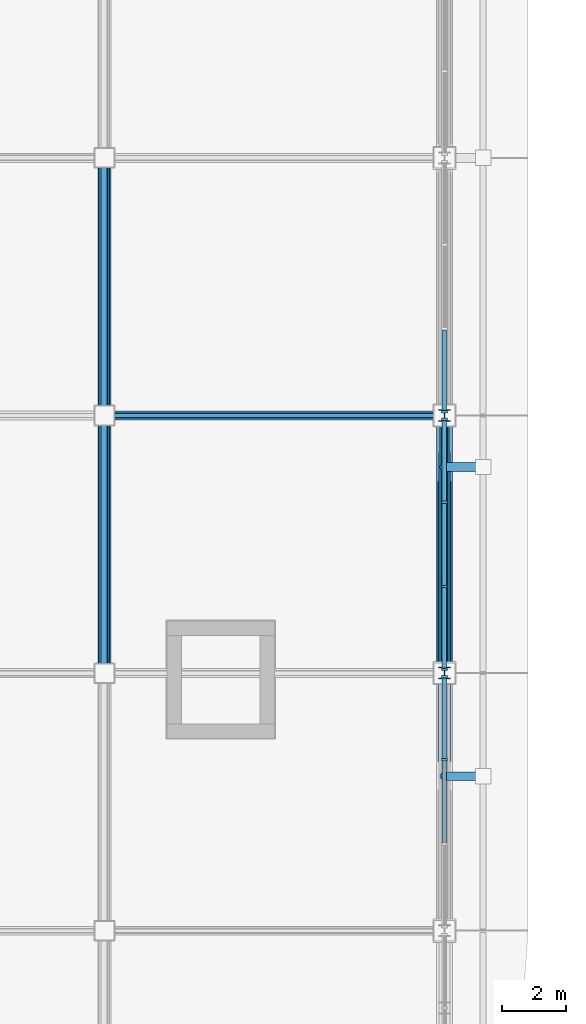
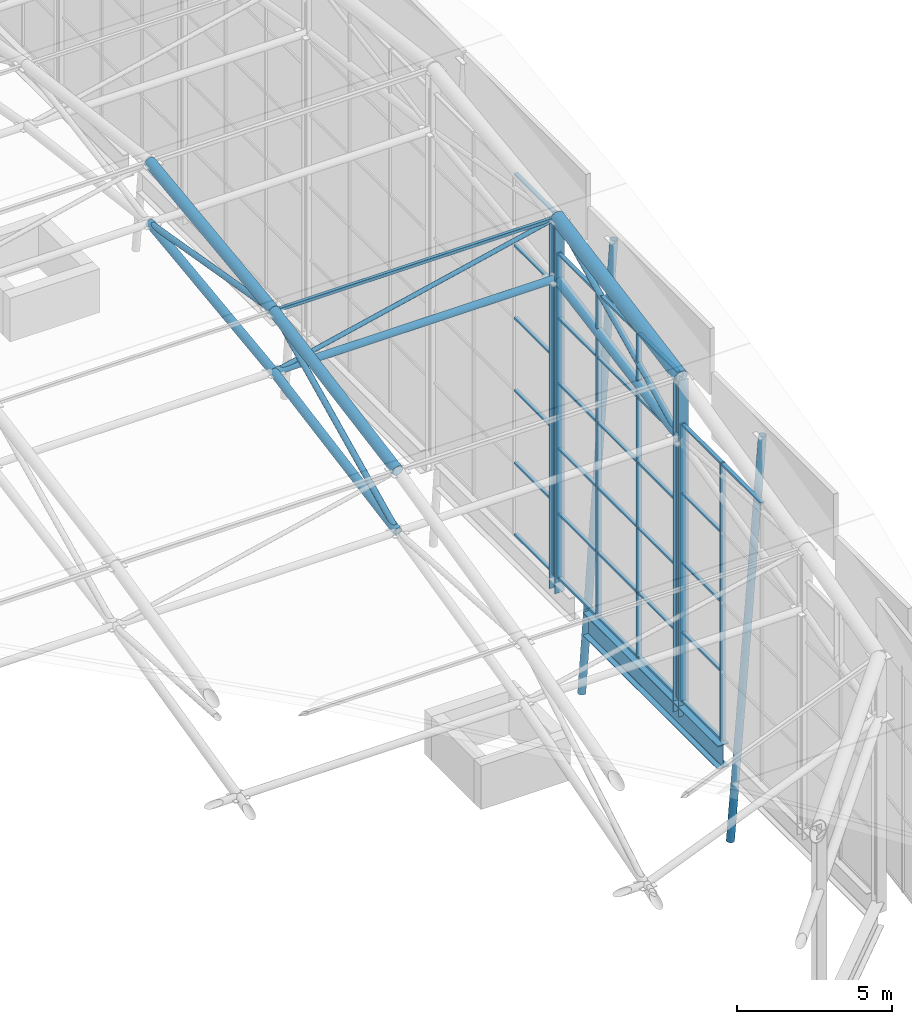
# One storey, part 14 of 42: 53 members, 1 beam, 3 elements without a shape of their own.
"""IFC4 building model written with IfcOpenShell, lengths in metres."""

import ifcopenshell
import ifcopenshell.guid

model = None  # the IFC model being written
_history = None  # IfcOwnerHistory: only IFC2X3 demands one
_inside = {}  # id of a spatial element -> (the spatial element, [elements in it])
_under = {}  # id of a project, library or spatial element -> (it, [spatial elements below it])
_declared = {}  # id of a project -> (the project, [libraries it declares])
_typed = {}  # id of a type object -> (the type object, [elements of that type])
_made_of = {}  # id of a material, layer set ... -> (it, [elements and type objects made of it])


def new_model(schema):
    """Start an empty IFC model of exactly this schema.

    Asked for "IFC4X3", IfcOpenShell would pick the latest addendum, in which some entities
    have other attributes; the version numbers below select the first issue.
    IFC2X3 requires an IfcOwnerHistory on every rooted entity: one is made here for all.
    """
    global model, _history
    if schema == "IFC4X3":
        model = ifcopenshell.file(schema_version=(4, 3, 0, 0))
    else:
        model = ifcopenshell.file(schema=schema)
    _inside.clear()
    _under.clear()
    _declared.clear()
    _typed.clear()
    _made_of.clear()
    _history = None
    if model.schema == "IFC2X3":
        org = make("IfcOrganization", Name="unknown")
        user = make(
            "IfcPersonAndOrganization",
            ThePerson=make("IfcPerson", FamilyName="unknown"),
            TheOrganization=org,
        )
        app = make(
            "IfcApplication",
            ApplicationDeveloper=org,
            Version="unknown",
            ApplicationFullName="unknown",
            ApplicationIdentifier="unknown",
        )
        _history = make(
            "IfcOwnerHistory",
            OwningUser=user,
            OwningApplication=app,
            ChangeAction="ADDED",
            CreationDate=0,
        )
    return model


def make(cls, **values):
    """One entity of the class cls with the attributes given. An attribute that is None is left unset."""
    return model.create_entity(
        cls, **{name: value for name, value in values.items() if value is not None}
    )


def rooted(cls, **values):
    """An entity with a GlobalId (a new one), such as an element, a storey or a relation."""
    return make(cls, GlobalId=ifcopenshell.guid.new(), OwnerHistory=_history, **values)


def si_unit(unit_type, name, prefix=None):
    """IfcSIUnit, for example si_unit("LENGTHUNIT", "METRE", prefix="MILLI")."""
    return make("IfcSIUnit", UnitType=unit_type, Prefix=prefix, Name=name)


def assignment(units):
    """IfcUnitAssignment: the units of a project."""
    return None if units is None else make("IfcUnitAssignment", Units=units)


def point(xyz):
    """IfcCartesianPoint."""
    return None if xyz is None else make("IfcCartesianPoint", Coordinates=xyz)


def direction(xyz):
    """IfcDirection."""
    return None if xyz is None else make("IfcDirection", DirectionRatios=xyz)


def frame(location, z_axis=None, x_axis=None):
    """IfcAxis2Placement3D, a coordinate frame: its origin and axes. An axis left out is left unset."""
    return make(
        "IfcAxis2Placement3D",
        Location=point(location),
        Axis=direction(z_axis),
        RefDirection=direction(x_axis),
    )


def frame_2d(location, x_axis=None):
    """IfcAxis2Placement2D, a coordinate frame in the plane: its origin and x axis."""
    return make(
        "IfcAxis2Placement2D", Location=point(location), RefDirection=direction(x_axis)
    )


def origin():
    """The frame at (0, 0, 0) with its axes left unset."""
    return frame((0.0, 0.0, 0.0))


def origin_2d():
    """The frame at (0, 0) in the plane with its x axis left unset."""
    return frame_2d((0.0, 0.0))


def place(relative_to, where):
    """IfcLocalPlacement: puts the frame where relative to a parent placement (None: the world)."""
    return make(
        "IfcLocalPlacement", PlacementRelTo=relative_to, RelativePlacement=where
    )


def context(
    kind, dimensions, precision=None, world=None, true_north=None, identifier=None
):
    """IfcGeometricRepresentationContext, for example the 3D "Model" context."""
    return make(
        "IfcGeometricRepresentationContext",
        ContextIdentifier=identifier,
        ContextType=kind,
        CoordinateSpaceDimension=dimensions,
        Precision=precision,
        WorldCoordinateSystem=world,
        TrueNorth=true_north,
    )


def subcontext(parent, identifier, kind, view, scale=None):
    """IfcGeometricRepresentationSubContext, for example "Body" below "Model"."""
    return make(
        "IfcGeometricRepresentationSubContext",
        ContextIdentifier=identifier,
        ContextType=kind,
        ParentContext=parent,
        TargetScale=scale,
        TargetView=view,
    )


def project(units=None, contexts=None):
    """IfcProject with its units and contexts."""
    return rooted(
        "IfcProject",
        Name="project",
        RepresentationContexts=contexts,
        UnitsInContext=assignment(units),
    )


def spatial(cls, under=None, at=None, **own):
    """A site, building, storey or space (cls), placed at a placement, below another one or the project."""
    s = rooted(cls, ObjectPlacement=at, **own)
    if under is not None:
        _under.setdefault(under.id(), (under, []))[1].append(s)
    return s


def profile(cls, at=None, kind="AREA", **sizes):
    """A parametric profile (cls). Its sizes go by their IFC names, for example OverallWidth=200.0."""
    return make(cls, ProfileType=kind, Position=at, **sizes)


def rectangle(**sizes):
    """IfcRectangleProfileDef."""
    return profile("IfcRectangleProfileDef", **sizes)


def hollow_rectangle(**sizes):
    """IfcRectangleHollowProfileDef."""
    return profile("IfcRectangleHollowProfileDef", **sizes)


def hollow_circle(**sizes):
    """IfcCircleHollowProfileDef."""
    return profile("IfcCircleHollowProfileDef", **sizes)


def i_section(**sizes):
    """IfcIShapeProfileDef."""
    return profile("IfcIShapeProfileDef", **sizes)


def extrude(swept, where, along, depth):
    """IfcExtrudedAreaSolid: the profile swept, set in the frame where, extruded along a direction by depth."""
    return make(
        "IfcExtrudedAreaSolid",
        SweptArea=swept,
        Position=where,
        ExtrudedDirection=direction(along),
        Depth=depth,
    )


def shape(context_of_items, identifier, shape_type, items):
    """IfcShapeRepresentation: the items that make up one representation, for example the "Body"."""
    return make(
        "IfcShapeRepresentation",
        ContextOfItems=context_of_items,
        RepresentationIdentifier=identifier,
        RepresentationType=shape_type,
        Items=items,
    )


def material(Name=None, Category=None):
    """IfcMaterial."""
    return make("IfcMaterial", Name=Name, Category=Category)


def layer(
    of_material, thickness, ventilated=None, Name=None, Category=None, Priority=None
):
    """IfcMaterialLayer: one layer of a wall or slab, of a material (None: an air gap)."""
    return make(
        "IfcMaterialLayer",
        Material=of_material,
        LayerThickness=thickness,
        IsVentilated=ventilated,
        Name=Name,
        Category=Category,
        Priority=Priority,
    )


def layer_set(layers, Name=None):
    """IfcMaterialLayerSet."""
    return make("IfcMaterialLayerSet", MaterialLayers=layers, LayerSetName=Name)


def material_profile(
    of_material, cross_section, Name=None, Category=None, Priority=None
):
    """IfcMaterialProfile: a cross section and its material."""
    return make(
        "IfcMaterialProfile",
        Name=Name,
        Material=of_material,
        Profile=cross_section,
        Priority=Priority,
        Category=Category,
    )


def profile_set(profiles, Name=None, composite=None):
    """IfcMaterialProfileSet."""
    return make(
        "IfcMaterialProfileSet",
        Name=Name,
        MaterialProfiles=profiles,
        CompositeProfile=composite,
    )


def made_of(thing, what):
    """Note that an element or type object is made of a material, layer set ...; save() writes the relation."""
    if what is not None:
        _made_of.setdefault(what.id(), (what, []))[1].append(thing)
    return thing


def type_object(cls, material=None, **own):
    """A type object (cls), such as IfcWallType, which elements share."""
    return made_of(rooted(cls, **own), material)


def element(
    cls,
    number,
    at=None,
    inside=None,
    cuts=None,
    type_object=None,
    material=None,
    context=None,
    identifier="Body",
    shape_type=None,
    held_by="IfcProductDefinitionShape",
    body=None,
    shapes=None,
    **own,
):
    """One element of the class cls, such as IfcWall. Its Tag is "e" and its number.

    at: its placement. inside: the storey or other place that contains it. cuts: it is an
    opening in that element (IfcRelVoidsElement). A single representation is given by context,
    identifier, shape_type and body (its items); several are given by shapes. held_by: the class
    of the entity that holds the representations. save() writes the other relations.
    """
    e = rooted(cls, Tag="e%d" % number, ObjectPlacement=at, **own)
    if body is not None:
        shapes = [shape(context, identifier, shape_type, body)]
    if shapes is not None:
        e.Representation = make(held_by, Representations=shapes)
    if inside is not None:
        _inside.setdefault(inside.id(), (inside, []))[1].append(e)
    if cuts is not None:
        rooted(
            "IfcRelVoidsElement", RelatingBuildingElement=cuts, RelatedOpeningElement=e
        )
    if type_object is not None:
        _typed.setdefault(type_object.id(), (type_object, []))[1].append(e)
    return made_of(e, material)


def aggregate(whole, parts):
    """IfcRelAggregates: a whole, such as a stair, and the parts it consists of."""
    return rooted("IfcRelAggregates", RelatingObject=whole, RelatedObjects=parts)


def save(model, path):
    """Write the relations noted so far, then the file.

    IfcRelAggregates (storeys below a building ...), IfcRelContainedInSpatialStructure (elements
    in a storey), IfcRelDefinesByType, IfcRelAssociatesMaterial and IfcRelDeclares: one each for
    every whole, place, type object, material and project.
    """
    for whole, parts in _under.values():
        aggregate(whole, parts)
    for where, things in _inside.values():
        rooted(
            "IfcRelContainedInSpatialStructure",
            RelatedElements=things,
            RelatingStructure=where,
        )
    for kind, things in _typed.values():
        rooted("IfcRelDefinesByType", RelatedObjects=things, RelatingType=kind)
    for what, things in _made_of.values():
        rooted("IfcRelAssociatesMaterial", RelatedObjects=things, RelatingMaterial=what)
    for by, libraries in _declared.values():
        rooted("IfcRelDeclares", RelatingContext=by, RelatedDefinitions=libraries)
    model.write(path)


model = new_model("IFC4")

# Units and contexts
model_context = context("Model", 3, precision=1e-05, world=origin(), true_north=direction((0.0, 1.0)))
body_context = subcontext(model_context, "Body", "Model", "MODEL_VIEW")
ifc_project = project(units=[si_unit("LENGTHUNIT", "METRE"), si_unit("AREAUNIT", "SQUARE_METRE"), si_unit("VOLUMEUNIT", "CUBIC_METRE"), si_unit("PLANEANGLEUNIT", "RADIAN"), si_unit("MASSUNIT", "GRAM", prefix="KILO")], contexts=[model_context])

# Site, building, storey
site_placement = place(None, origin())
site = spatial("IfcSite", under=ifc_project, at=site_placement, CompositionType="ELEMENT")
building_placement = place(site_placement, origin())
building = spatial("IfcBuilding", under=site, at=building_placement, Name="Caelomonte Colonnade Arena", CompositionType="ELEMENT")
storey_placement = place(building_placement, frame((0.0, 0.0, 28.199951171875)))
storey = spatial("IfcBuildingStorey", under=building, at=storey_placement, Name="RF", CompositionType="ELEMENT", Elevation=28.199951171875)

# Curtain wall, members
ifc_material_1 = material(Name="Bronze anodised aluminium and low-E glazing", Category="aluminium")
ifc_layer_1 = layer(ifc_material_1, 0.179931640625)
ifc_layer_set_1 = layer_set([ifc_layer_1], Name="Bronze anodised aluminium and low-E glazing")
curtain_wall_type_1 = type_object("IfcCurtainWallType", Name="ENV-CW-CW-TYMP-02", PredefinedType="USERDEFINED", material=ifc_layer_set_1)
curtain_wall_1_placement = place(storey_placement, origin())
curtain_wall_1 = element("IfcCurtainWall", 1, at=curtain_wall_1_placement, inside=storey, type_object=curtain_wall_type_1, Name="Barrel arch E clerestory tympanum curtain wall 2", ObjectType="UNITIZED CURTAIN WALL", PredefinedType="USERDEFINED")
ifc_material_2 = material(Name="Bronze anodised aluminium AA6063-T6", Category="aluminium")
ifc_material_profile_1 = material_profile(ifc_material_2, rectangle(XDim=0.070068359375, YDim=0.179931640625, at=origin_2d()), Name="CWM-70X180")
ifc_profile_set_1 = profile_set([ifc_material_profile_1], Name="Bronze anodised aluminium AA6063-T6")
member_type_1 = type_object("IfcMemberType", Name="ENV-CW-MULL1", PredefinedType="MULLION", material=ifc_profile_set_1)
member_1_placement = place(storey_placement, frame((163.199951171875, 48.506591796875, -0.14990234375), z_axis=(0.0, 0.0, 1.0), x_axis=(0.0, 1.0, 0.0)))
member_1 = element("IfcMember", 2, at=member_1_placement, type_object=member_type_1, Name="CW-TYMP-02 mullion 3", PredefinedType="MULLION", context=body_context, shape_type="SweptSolid", body=[
    extrude(rectangle(XDim=0.070068359375, YDim=0.179931640625, at=origin_2d()), origin(), (0.0, 0.0, 1.0), 10.952880859375),
])
member_2_placement = place(storey_placement, frame((163.199951171875, 51.0849609375, -0.14990234375), z_axis=(0.0, 0.0, 1.0), x_axis=(0.0, 1.0, 0.0)))
member_2 = element("IfcMember", 3, at=member_2_placement, type_object=member_type_1, Name="CW-TYMP-02 mullion 4", PredefinedType="MULLION", context=body_context, shape_type="SweptSolid", body=[
    extrude(rectangle(XDim=0.070068359375, YDim=0.179931640625, at=origin_2d()), origin(), (0.0, 0.0, 1.0), 10.952880859375),
])

ifc_layer_2 = layer(ifc_material_1, 0.179931640625)
ifc_layer_set_2 = layer_set([ifc_layer_2], Name="Bronze anodised aluminium and low-E glazing")
curtain_wall_type_2 = type_object("IfcCurtainWallType", Name="ENV-CW-CW-TYMP-03", PredefinedType="USERDEFINED", material=ifc_layer_set_2)
curtain_wall_2_placement = place(storey_placement, origin())
curtain_wall_2 = element("IfcCurtainWall", 4, at=curtain_wall_2_placement, inside=storey, type_object=curtain_wall_type_2, Name="Barrel arch E clerestory tympanum curtain wall 3", ObjectType="UNITIZED CURTAIN WALL", PredefinedType="USERDEFINED")
member_3_placement = place(storey_placement, frame((163.199951171875, 51.31494140625, -0.14990234375), z_axis=(0.0, 0.0, 1.0), x_axis=(0.0, 1.0, 0.0)))
member_3 = element("IfcMember", 5, at=member_3_placement, type_object=member_type_1, Name="CW-TYMP-03 mullion 1", PredefinedType="MULLION", context=body_context, shape_type="SweptSolid", body=[
    extrude(rectangle(XDim=0.070068359375, YDim=0.179931640625, at=origin_2d()), origin(), (0.0, 0.0, 1.0), 12.8359375),
])
member_4_placement = place(storey_placement, frame((163.199951171875, 53.893310546875, -0.14990234375), z_axis=(0.0, 0.0, 1.0), x_axis=(0.0, 1.0, 0.0)))
member_4 = element("IfcMember", 6, at=member_4_placement, type_object=member_type_1, Name="CW-TYMP-03 mullion 2", PredefinedType="MULLION", context=body_context, shape_type="SweptSolid", body=[
    extrude(rectangle(XDim=0.070068359375, YDim=0.179931640625, at=origin_2d()), origin(), (0.0, 0.0, 1.0), 12.8359375),
])
member_5_placement = place(storey_placement, frame((163.199951171875, 56.506591796875, -0.14990234375), z_axis=(0.0, 0.0, 1.0), x_axis=(0.0, 1.0, 0.0)))
member_5 = element("IfcMember", 7, at=member_5_placement, type_object=member_type_1, Name="CW-TYMP-03 mullion 3", PredefinedType="MULLION", context=body_context, shape_type="SweptSolid", body=[
    extrude(rectangle(XDim=0.070068359375, YDim=0.179931640625, at=origin_2d()), origin(), (0.0, 0.0, 1.0), 12.8359375),
])
member_6_placement = place(storey_placement, frame((163.199951171875, 59.0849609375, -0.14990234375), z_axis=(0.0, 0.0, 1.0), x_axis=(0.0, 1.0, 0.0)))
member_6 = element("IfcMember", 8, at=member_6_placement, type_object=member_type_1, Name="CW-TYMP-03 mullion 4", PredefinedType="MULLION", context=body_context, shape_type="SweptSolid", body=[
    extrude(rectangle(XDim=0.070068359375, YDim=0.179931640625, at=origin_2d()), origin(), (0.0, 0.0, 1.0), 12.8359375),
])

# Curtain wall, member
ifc_layer_3 = layer(ifc_material_1, 0.179931640625)
ifc_layer_set_3 = layer_set([ifc_layer_3], Name="Bronze anodised aluminium and low-E glazing")
curtain_wall_type_3 = type_object("IfcCurtainWallType", Name="ENV-CW-CW-TYMP-04", PredefinedType="USERDEFINED", material=ifc_layer_set_3)
curtain_wall_3_placement = place(storey_placement, origin())
curtain_wall_3 = element("IfcCurtainWall", 9, at=curtain_wall_3_placement, inside=storey, type_object=curtain_wall_type_3, Name="Barrel arch E clerestory tympanum curtain wall 4", ObjectType="UNITIZED CURTAIN WALL", PredefinedType="USERDEFINED")
member_7_placement = place(storey_placement, frame((163.199951171875, 59.31494140625, -0.14990234375), z_axis=(0.0, 0.0, 1.0), x_axis=(0.0, 1.0, 0.0)))
member_7 = element("IfcMember", 10, at=member_7_placement, type_object=member_type_1, Name="CW-TYMP-04 mullion 1", PredefinedType="MULLION", context=body_context, shape_type="SweptSolid", body=[
    extrude(rectangle(XDim=0.070068359375, YDim=0.179931640625, at=origin_2d()), origin(), (0.0, 0.0, 1.0), 14.284912109375),
])

# Member
ifc_material_profile_2 = material_profile(ifc_material_2, rectangle(XDim=0.070068359375, YDim=0.139892578125, at=origin_2d()), Name="CWT-70X140")
ifc_profile_set_2 = profile_set([ifc_material_profile_2], Name="Bronze anodised aluminium AA6063-T6")
member_type_2 = type_object("IfcMemberType", Name="ENV-CW-TRAN1", PredefinedType="USERDEFINED", material=ifc_profile_set_2)
member_8_placement = place(storey_placement, frame((163.199951171875, 45.92822265625, 10.76806640625), z_axis=(0.0, 1.0, 0.0), x_axis=(0.0, 0.0, 1.0)))
member_8 = element("IfcMember", 11, at=member_8_placement, type_object=member_type_2, Name="CW-TYMP-02 transom 2.5", ObjectType="TRANSOM", PredefinedType="USERDEFINED", context=body_context, shape_type="SweptSolid", body=[
    extrude(rectangle(XDim=0.070068359375, YDim=0.139892578125, at=origin_2d()), origin(), (0.0, 0.0, 1.0), 2.54345703125),
])

member_9_placement = place(storey_placement, frame((163.199951171875, 48.541748046875, -0.114990234375), z_axis=(0.0, 1.0, 0.0), x_axis=(0.0, 0.0, 1.0)))
member_9 = element("IfcMember", 12, at=member_9_placement, type_object=member_type_2, Name="CW-TYMP-02 transom 3.1", ObjectType="TRANSOM", PredefinedType="USERDEFINED", context=body_context, shape_type="SweptSolid", body=[
    extrude(rectangle(XDim=0.070068359375, YDim=0.139892578125, at=origin_2d()), origin(), (0.0, 0.0, 1.0), 2.50830078125),
])

member_10_placement = place(storey_placement, frame((163.199951171875, 48.541748046875, 2.58837890625), z_axis=(0.0, 1.0, 0.0), x_axis=(0.0, 0.0, 1.0)))
member_10 = element("IfcMember", 13, at=member_10_placement, type_object=member_type_2, Name="CW-TYMP-02 transom 3.2", ObjectType="TRANSOM", PredefinedType="USERDEFINED", context=body_context, shape_type="SweptSolid", body=[
    extrude(rectangle(XDim=0.070068359375, YDim=0.139892578125, at=origin_2d()), origin(), (0.0, 0.0, 1.0), 2.50830078125),
])

member_11_placement = place(storey_placement, frame((163.199951171875, 48.541748046875, 5.32666015625), z_axis=(0.0, 1.0, 0.0), x_axis=(0.0, 0.0, 1.0)))
member_11 = element("IfcMember", 14, at=member_11_placement, type_object=member_type_2, Name="CW-TYMP-02 transom 3.3", ObjectType="TRANSOM", PredefinedType="USERDEFINED", context=body_context, shape_type="SweptSolid", body=[
    extrude(rectangle(XDim=0.070068359375, YDim=0.139892578125, at=origin_2d()), origin(), (0.0, 0.0, 1.0), 2.50830078125),
])

member_12_placement = place(storey_placement, frame((163.199951171875, 48.541748046875, 8.064697265625), z_axis=(0.0, 1.0, 0.0), x_axis=(0.0, 0.0, 1.0)))
member_12 = element("IfcMember", 15, at=member_12_placement, type_object=member_type_2, Name="CW-TYMP-02 transom 3.4", ObjectType="TRANSOM", PredefinedType="USERDEFINED", context=body_context, shape_type="SweptSolid", body=[
    extrude(rectangle(XDim=0.070068359375, YDim=0.139892578125, at=origin_2d()), origin(), (0.0, 0.0, 1.0), 2.50830078125),
])

member_13_placement = place(storey_placement, frame((163.199951171875, 48.541748046875, 10.76806640625), z_axis=(0.0, 1.0, 0.0), x_axis=(0.0, 0.0, 1.0)))
member_13 = element("IfcMember", 16, at=member_13_placement, type_object=member_type_2, Name="CW-TYMP-02 transom 3.5", ObjectType="TRANSOM", PredefinedType="USERDEFINED", context=body_context, shape_type="SweptSolid", body=[
    extrude(rectangle(XDim=0.070068359375, YDim=0.139892578125, at=origin_2d()), origin(), (0.0, 0.0, 1.0), 2.50830078125),
])

aggregate(curtain_wall_1, [member_1, member_2, member_8, member_9, member_10, member_11, member_12, member_13])

member_14_placement = place(storey_placement, frame((163.199951171875, 51.35009765625, -0.114990234375), z_axis=(0.0, 1.0, 0.0), x_axis=(0.0, 0.0, 1.0)))
member_14 = element("IfcMember", 17, at=member_14_placement, type_object=member_type_2, Name="CW-TYMP-03 transom 1.1", ObjectType="TRANSOM", PredefinedType="USERDEFINED", context=body_context, shape_type="SweptSolid", body=[
    extrude(rectangle(XDim=0.070068359375, YDim=0.139892578125, at=origin_2d()), origin(), (0.0, 0.0, 1.0), 2.50830078125),
])

member_15_placement = place(storey_placement, frame((163.199951171875, 51.35009765625, 2.417236328125), z_axis=(0.0, 1.0, 0.0), x_axis=(0.0, 0.0, 1.0)))
member_15 = element("IfcMember", 18, at=member_15_placement, type_object=member_type_2, Name="CW-TYMP-03 transom 1.2", ObjectType="TRANSOM", PredefinedType="USERDEFINED", context=body_context, shape_type="SweptSolid", body=[
    extrude(rectangle(XDim=0.070068359375, YDim=0.139892578125, at=origin_2d()), origin(), (0.0, 0.0, 1.0), 2.50830078125),
])

member_16_placement = place(storey_placement, frame((163.199951171875, 51.35009765625, 4.984375), z_axis=(0.0, 1.0, 0.0), x_axis=(0.0, 0.0, 1.0)))
member_16 = element("IfcMember", 19, at=member_16_placement, type_object=member_type_2, Name="CW-TYMP-03 transom 1.3", ObjectType="TRANSOM", PredefinedType="USERDEFINED", context=body_context, shape_type="SweptSolid", body=[
    extrude(rectangle(XDim=0.070068359375, YDim=0.139892578125, at=origin_2d()), origin(), (0.0, 0.0, 1.0), 2.50830078125),
])

member_17_placement = place(storey_placement, frame((163.199951171875, 51.35009765625, 7.5517578125), z_axis=(0.0, 1.0, 0.0), x_axis=(0.0, 0.0, 1.0)))
member_17 = element("IfcMember", 20, at=member_17_placement, type_object=member_type_2, Name="CW-TYMP-03 transom 1.4", ObjectType="TRANSOM", PredefinedType="USERDEFINED", context=body_context, shape_type="SweptSolid", body=[
    extrude(rectangle(XDim=0.070068359375, YDim=0.139892578125, at=origin_2d()), origin(), (0.0, 0.0, 1.0), 2.50830078125),
])

member_18_placement = place(storey_placement, frame((163.199951171875, 51.35009765625, 10.118896484375), z_axis=(0.0, 1.0, 0.0), x_axis=(0.0, 0.0, 1.0)))
member_18 = element("IfcMember", 21, at=member_18_placement, type_object=member_type_2, Name="CW-TYMP-03 transom 1.5", ObjectType="TRANSOM", PredefinedType="USERDEFINED", context=body_context, shape_type="SweptSolid", body=[
    extrude(rectangle(XDim=0.070068359375, YDim=0.139892578125, at=origin_2d()), origin(), (0.0, 0.0, 1.0), 2.50830078125),
])

member_19_placement = place(storey_placement, frame((163.199951171875, 51.35009765625, 12.651123046875), z_axis=(0.0, 1.0, 0.0), x_axis=(0.0, 0.0, 1.0)))
member_19 = element("IfcMember", 22, at=member_19_placement, type_object=member_type_2, Name="CW-TYMP-03 transom 1.6", ObjectType="TRANSOM", PredefinedType="USERDEFINED", context=body_context, shape_type="SweptSolid", body=[
    extrude(rectangle(XDim=0.070068359375, YDim=0.139892578125, at=origin_2d()), origin(), (0.0, 0.0, 1.0), 2.50830078125),
])

member_20_placement = place(storey_placement, frame((163.199951171875, 53.92822265625, -0.114990234375), z_axis=(0.0, 1.0, 0.0), x_axis=(0.0, 0.0, 1.0)))
member_20 = element("IfcMember", 23, at=member_20_placement, type_object=member_type_2, Name="CW-TYMP-03 transom 2.1", ObjectType="TRANSOM", PredefinedType="USERDEFINED", context=body_context, shape_type="SweptSolid", body=[
    extrude(rectangle(XDim=0.070068359375, YDim=0.139892578125, at=origin_2d()), origin(), (0.0, 0.0, 1.0), 2.54345703125),
])

member_21_placement = place(storey_placement, frame((163.199951171875, 53.92822265625, 2.417236328125), z_axis=(0.0, 1.0, 0.0), x_axis=(0.0, 0.0, 1.0)))
member_21 = element("IfcMember", 24, at=member_21_placement, type_object=member_type_2, Name="CW-TYMP-03 transom 2.2", ObjectType="TRANSOM", PredefinedType="USERDEFINED", context=body_context, shape_type="SweptSolid", body=[
    extrude(rectangle(XDim=0.070068359375, YDim=0.139892578125, at=origin_2d()), origin(), (0.0, 0.0, 1.0), 2.54345703125),
])

member_22_placement = place(storey_placement, frame((163.199951171875, 53.92822265625, 4.984375), z_axis=(0.0, 1.0, 0.0), x_axis=(0.0, 0.0, 1.0)))
member_22 = element("IfcMember", 25, at=member_22_placement, type_object=member_type_2, Name="CW-TYMP-03 transom 2.3", ObjectType="TRANSOM", PredefinedType="USERDEFINED", context=body_context, shape_type="SweptSolid", body=[
    extrude(rectangle(XDim=0.070068359375, YDim=0.139892578125, at=origin_2d()), origin(), (0.0, 0.0, 1.0), 2.54345703125),
])

member_23_placement = place(storey_placement, frame((163.199951171875, 53.92822265625, 7.5517578125), z_axis=(0.0, 1.0, 0.0), x_axis=(0.0, 0.0, 1.0)))
member_23 = element("IfcMember", 26, at=member_23_placement, type_object=member_type_2, Name="CW-TYMP-03 transom 2.4", ObjectType="TRANSOM", PredefinedType="USERDEFINED", context=body_context, shape_type="SweptSolid", body=[
    extrude(rectangle(XDim=0.070068359375, YDim=0.139892578125, at=origin_2d()), origin(), (0.0, 0.0, 1.0), 2.54345703125),
])

member_24_placement = place(storey_placement, frame((163.199951171875, 53.92822265625, 10.118896484375), z_axis=(0.0, 1.0, 0.0), x_axis=(0.0, 0.0, 1.0)))
member_24 = element("IfcMember", 27, at=member_24_placement, type_object=member_type_2, Name="CW-TYMP-03 transom 2.5", ObjectType="TRANSOM", PredefinedType="USERDEFINED", context=body_context, shape_type="SweptSolid", body=[
    extrude(rectangle(XDim=0.070068359375, YDim=0.139892578125, at=origin_2d()), origin(), (0.0, 0.0, 1.0), 2.54345703125),
])

member_25_placement = place(storey_placement, frame((163.199951171875, 53.92822265625, 12.651123046875), z_axis=(0.0, 1.0, 0.0), x_axis=(0.0, 0.0, 1.0)))
member_25 = element("IfcMember", 28, at=member_25_placement, type_object=member_type_2, Name="CW-TYMP-03 transom 2.6", ObjectType="TRANSOM", PredefinedType="USERDEFINED", context=body_context, shape_type="SweptSolid", body=[
    extrude(rectangle(XDim=0.070068359375, YDim=0.139892578125, at=origin_2d()), origin(), (0.0, 0.0, 1.0), 2.54345703125),
])

member_26_placement = place(storey_placement, frame((163.199951171875, 56.541748046875, -0.114990234375), z_axis=(0.0, 1.0, 0.0), x_axis=(0.0, 0.0, 1.0)))
member_26 = element("IfcMember", 29, at=member_26_placement, type_object=member_type_2, Name="CW-TYMP-03 transom 3.1", ObjectType="TRANSOM", PredefinedType="USERDEFINED", context=body_context, shape_type="SweptSolid", body=[
    extrude(rectangle(XDim=0.070068359375, YDim=0.139892578125, at=origin_2d()), origin(), (0.0, 0.0, 1.0), 2.50830078125),
])

member_27_placement = place(storey_placement, frame((163.199951171875, 56.541748046875, 2.417236328125), z_axis=(0.0, 1.0, 0.0), x_axis=(0.0, 0.0, 1.0)))
member_27 = element("IfcMember", 30, at=member_27_placement, type_object=member_type_2, Name="CW-TYMP-03 transom 3.2", ObjectType="TRANSOM", PredefinedType="USERDEFINED", context=body_context, shape_type="SweptSolid", body=[
    extrude(rectangle(XDim=0.070068359375, YDim=0.139892578125, at=origin_2d()), origin(), (0.0, 0.0, 1.0), 2.50830078125),
])

member_28_placement = place(storey_placement, frame((163.199951171875, 56.541748046875, 4.984375), z_axis=(0.0, 1.0, 0.0), x_axis=(0.0, 0.0, 1.0)))
member_28 = element("IfcMember", 31, at=member_28_placement, type_object=member_type_2, Name="CW-TYMP-03 transom 3.3", ObjectType="TRANSOM", PredefinedType="USERDEFINED", context=body_context, shape_type="SweptSolid", body=[
    extrude(rectangle(XDim=0.070068359375, YDim=0.139892578125, at=origin_2d()), origin(), (0.0, 0.0, 1.0), 2.50830078125),
])

member_29_placement = place(storey_placement, frame((163.199951171875, 56.541748046875, 7.5517578125), z_axis=(0.0, 1.0, 0.0), x_axis=(0.0, 0.0, 1.0)))
member_29 = element("IfcMember", 32, at=member_29_placement, type_object=member_type_2, Name="CW-TYMP-03 transom 3.4", ObjectType="TRANSOM", PredefinedType="USERDEFINED", context=body_context, shape_type="SweptSolid", body=[
    extrude(rectangle(XDim=0.070068359375, YDim=0.139892578125, at=origin_2d()), origin(), (0.0, 0.0, 1.0), 2.50830078125),
])

member_30_placement = place(storey_placement, frame((163.199951171875, 56.541748046875, 10.118896484375), z_axis=(0.0, 1.0, 0.0), x_axis=(0.0, 0.0, 1.0)))
member_30 = element("IfcMember", 33, at=member_30_placement, type_object=member_type_2, Name="CW-TYMP-03 transom 3.5", ObjectType="TRANSOM", PredefinedType="USERDEFINED", context=body_context, shape_type="SweptSolid", body=[
    extrude(rectangle(XDim=0.070068359375, YDim=0.139892578125, at=origin_2d()), origin(), (0.0, 0.0, 1.0), 2.50830078125),
])

member_31_placement = place(storey_placement, frame((163.199951171875, 56.541748046875, 12.651123046875), z_axis=(0.0, 1.0, 0.0), x_axis=(0.0, 0.0, 1.0)))
member_31 = element("IfcMember", 34, at=member_31_placement, type_object=member_type_2, Name="CW-TYMP-03 transom 3.6", ObjectType="TRANSOM", PredefinedType="USERDEFINED", context=body_context, shape_type="SweptSolid", body=[
    extrude(rectangle(XDim=0.070068359375, YDim=0.139892578125, at=origin_2d()), origin(), (0.0, 0.0, 1.0), 2.50830078125),
])

aggregate(curtain_wall_2, [member_3, member_4, member_5, member_6, member_14, member_15, member_16, member_17, member_18, member_19, member_20, member_21, member_22, member_23, member_24, member_25, member_26, member_27, member_28, member_29, member_30, member_31])

member_32_placement = place(storey_placement, frame((163.199951171875, 59.35009765625, -0.114990234375), z_axis=(0.0, 1.0, 0.0), x_axis=(0.0, 0.0, 1.0)))
member_32 = element("IfcMember", 35, at=member_32_placement, type_object=member_type_2, Name="CW-TYMP-04 transom 1.1", ObjectType="TRANSOM", PredefinedType="USERDEFINED", context=body_context, shape_type="SweptSolid", body=[
    extrude(rectangle(XDim=0.070068359375, YDim=0.139892578125, at=origin_2d()), origin(), (0.0, 0.0, 1.0), 2.50830078125),
])

member_33_placement = place(storey_placement, frame((163.199951171875, 59.35009765625, 2.70703125), z_axis=(0.0, 1.0, 0.0), x_axis=(0.0, 0.0, 1.0)))
member_33 = element("IfcMember", 36, at=member_33_placement, type_object=member_type_2, Name="CW-TYMP-04 transom 1.2", ObjectType="TRANSOM", PredefinedType="USERDEFINED", context=body_context, shape_type="SweptSolid", body=[
    extrude(rectangle(XDim=0.070068359375, YDim=0.139892578125, at=origin_2d()), origin(), (0.0, 0.0, 1.0), 2.50830078125),
])

member_34_placement = place(storey_placement, frame((163.199951171875, 59.35009765625, 5.56396484375), z_axis=(0.0, 1.0, 0.0), x_axis=(0.0, 0.0, 1.0)))
member_34 = element("IfcMember", 37, at=member_34_placement, type_object=member_type_2, Name="CW-TYMP-04 transom 1.3", ObjectType="TRANSOM", PredefinedType="USERDEFINED", context=body_context, shape_type="SweptSolid", body=[
    extrude(rectangle(XDim=0.070068359375, YDim=0.139892578125, at=origin_2d()), origin(), (0.0, 0.0, 1.0), 2.50830078125),
])

member_35_placement = place(storey_placement, frame((163.199951171875, 59.35009765625, 8.421142578125), z_axis=(0.0, 1.0, 0.0), x_axis=(0.0, 0.0, 1.0)))
member_35 = element("IfcMember", 38, at=member_35_placement, type_object=member_type_2, Name="CW-TYMP-04 transom 1.4", ObjectType="TRANSOM", PredefinedType="USERDEFINED", context=body_context, shape_type="SweptSolid", body=[
    extrude(rectangle(XDim=0.070068359375, YDim=0.139892578125, at=origin_2d()), origin(), (0.0, 0.0, 1.0), 2.50830078125),
])

member_36_placement = place(storey_placement, frame((163.199951171875, 59.35009765625, 11.278076171875), z_axis=(0.0, 1.0, 0.0), x_axis=(0.0, 0.0, 1.0)))
member_36 = element("IfcMember", 39, at=member_36_placement, type_object=member_type_2, Name="CW-TYMP-04 transom 1.5", ObjectType="TRANSOM", PredefinedType="USERDEFINED", context=body_context, shape_type="SweptSolid", body=[
    extrude(rectangle(XDim=0.070068359375, YDim=0.139892578125, at=origin_2d()), origin(), (0.0, 0.0, 1.0), 2.50830078125),
])

member_37_placement = place(storey_placement, frame((163.199951171875, 59.35009765625, 14.10009765625), z_axis=(0.0, 1.0, 0.0), x_axis=(0.0, 0.0, 1.0)))
member_37 = element("IfcMember", 40, at=member_37_placement, type_object=member_type_2, Name="CW-TYMP-04 transom 1.6", ObjectType="TRANSOM", PredefinedType="USERDEFINED", context=body_context, shape_type="SweptSolid", body=[
    extrude(rectangle(XDim=0.070068359375, YDim=0.139892578125, at=origin_2d()), origin(), (0.0, 0.0, 1.0), 2.50830078125),
])

aggregate(curtain_wall_3, [member_7, member_32, member_33, member_34, member_35, member_36, member_37])

# Beam
ifc_material_3 = material(Name="Wide-flange steel ASTM A992 Grade 50", Category="steel")
ifc_material_profile_3 = material_profile(ifc_material_3, i_section(OverallWidth=0.418212890625, OverallDepth=0.927001953125, WebThickness=0.019287109375, FlangeThickness=0.031982421875, FilletRadius=0.024169921875, at=origin_2d()), Name="W36X231")
ifc_profile_set_3 = profile_set([ifc_material_profile_3], Name="Wide-flange steel ASTM A992 Grade 50")
beam_type = type_object("IfcBeamType", Name="STR-BM-EAVES1", PredefinedType="SPANDREL", material=ifc_profile_set_3)
beam_placement = place(storey_placement, frame((163.199951171875, 48.44921875, -0.743408203125), z_axis=(0.0, 1.0, 0.0), x_axis=(-1.0, 0.0, 0.0)))
element("IfcBeam", 41, at=beam_placement, inside=storey, type_object=beam_type, Name="RF girder BMY-RF-1632-0480", PredefinedType="SPANDREL", context=body_context, shape_type="SweptSolid", body=[
    extrude(i_section(OverallWidth=0.418212890625, OverallDepth=0.927001953125, WebThickness=0.019287109375, FlangeThickness=0.031982421875, FilletRadius=0.024169921875, at=origin_2d()), origin(), (0.0, 0.0, 1.0), 8.70166015625),
])

# Members
ifc_material_profile_4 = material_profile(ifc_material_3, i_section(OverallWidth=0.368896484375, OverallDepth=0.356201171875, WebThickness=0.01123046875, FlangeThickness=0.01806640625, FilletRadius=0.01513671875, at=origin_2d()), Name="W14X90")
ifc_profile_set_4 = profile_set([ifc_material_profile_4], Name="Wide-flange steel ASTM A992 Grade 50")
member_type_3 = type_object("IfcMemberType", Name="STR-CAT-STR", PredefinedType="STRUT", material=ifc_profile_set_4)
member_38_placement = place(storey_placement, frame((163.199951171875, 51.199951171875, -0.699951171875), z_axis=(0.0, 0.0, 1.0), x_axis=(1.0, 0.0, 0.0)))
element("IfcMember", 42, at=member_38_placement, inside=storey, type_object=member_type_3, Name="Roof truss eaves bearing post 10-4", PredefinedType="STRUT", context=body_context, shape_type="SweptSolid", body=[
    extrude(i_section(OverallWidth=0.368896484375, OverallDepth=0.356201171875, WebThickness=0.01123046875, FlangeThickness=0.01806640625, FilletRadius=0.01513671875, at=origin_2d()), origin(), (0.0, 0.0, 1.0), 13.236083984375),
])
member_39_placement = place(storey_placement, frame((163.199951171875, 59.199951171875, -0.699951171875), z_axis=(0.0, 0.0, 1.0), x_axis=(1.0, 0.0, 0.0)))
element("IfcMember", 43, at=member_39_placement, inside=storey, type_object=member_type_3, Name="Roof truss eaves bearing post 10-5", PredefinedType="STRUT", context=body_context, shape_type="SweptSolid", body=[
    extrude(i_section(OverallWidth=0.368896484375, OverallDepth=0.356201171875, WebThickness=0.01123046875, FlangeThickness=0.01806640625, FilletRadius=0.01513671875, at=origin_2d()), origin(), (0.0, 0.0, 1.0), 14.68505859375),
])
ifc_material_4 = material(Name="Steel ASTM A500 Grade C", Category="steel")
ifc_material_profile_5 = material_profile(ifc_material_4, hollow_circle(Radius=0.177734375, WallThickness=0.0126953125, at=origin_2d()), Name="CHS355.6X12.7")
ifc_profile_set_5 = profile_set([ifc_material_profile_5], Name="Steel ASTM A500 Grade C")
member_type_4 = type_object("IfcMemberType", Name="STR-SF-BC1", PredefinedType="CHORD", material=ifc_profile_set_5)
member_40_placement = place(storey_placement, frame((163.199951171875, 51.201904296875, 10.136474609375), z_axis=(0.0, 0.983990820662, 0.178219148393), x_axis=(-1.0, 0.0, 0.0)))
element("IfcMember", 44, at=member_40_placement, inside=storey, type_object=member_type_4, Name="Arched roof truss bottom chord 10-4", PredefinedType="CHORD", context=body_context, shape_type="SweptSolid", body=[
    extrude(hollow_circle(Radius=0.177734375, WallThickness=0.0126953125, at=origin_2d()), origin(), (0.0, 0.0, 1.0), 8.126220703125),
])
ifc_material_profile_6 = material_profile(ifc_material_4, hollow_circle(Radius=0.161865234375, WallThickness=0.010009765625, at=origin_2d()), Name="CHS323.9X10.0")
ifc_profile_set_6 = profile_set([ifc_material_profile_6], Name="Steel ASTM A500 Grade C")
member_type_5 = type_object("IfcMemberType", Name="STR-SF-BC2", PredefinedType="CHORD", material=ifc_profile_set_6)
member_41_placement = place(storey_placement, frame((152.639892578125, 51.201904296875, 10.136474609375), z_axis=(0.0, 0.983990820662, 0.178219148393), x_axis=(-1.0, 0.0, 0.0)))
element("IfcMember", 45, at=member_41_placement, inside=storey, type_object=member_type_5, Name="Arched roof truss bottom chord 9-4", PredefinedType="CHORD", context=body_context, shape_type="SweptSolid", body=[
    extrude(hollow_circle(Radius=0.161865234375, WallThickness=0.010009765625, at=origin_2d()), origin(), (0.0, 0.0, 1.0), 8.126220703125),
])
member_42_placement = place(storey_placement, frame((152.639892578125, 59.201904296875, 11.58544921875), z_axis=(0.0, 0.992048803131, 0.125853773113), x_axis=(-1.0, 0.0, 0.0)))
element("IfcMember", 46, at=member_42_placement, inside=storey, type_object=member_type_5, Name="Arched roof truss bottom chord 9-5", PredefinedType="CHORD", context=body_context, shape_type="SweptSolid", body=[
    extrude(hollow_circle(Radius=0.161865234375, WallThickness=0.010009765625, at=origin_2d()), origin(), (0.0, 0.0, 1.0), 8.060302734375),
])
ifc_material_profile_7 = material_profile(ifc_material_4, hollow_rectangle(XDim=0.126953125, YDim=0.126953125, WallThickness=0.00634765625, InnerFilletRadius=0.00634765625, OuterFilletRadius=0.0126953125, at=origin_2d()), Name="HSS127X127X6.4")
ifc_profile_set_7 = profile_set([ifc_material_profile_7], Name="Steel ASTM A500 Grade C")
member_type_6 = type_object("IfcMemberType", Name="STR-SF-PUR3", PredefinedType="PURLIN", material=ifc_profile_set_7)
member_43_placement = place(storey_placement, frame((152.64208984375, 59.199951171875, 13.985107421875), z_axis=(1.0, 0.0, 0.0), x_axis=(0.0, 1.0, 0.0)))
element("IfcMember", 47, at=member_43_placement, inside=storey, type_object=member_type_6, Name="Arched roof purlin 9-5", PredefinedType="PURLIN", context=body_context, shape_type="SweptSolid", body=[
    extrude(hollow_rectangle(XDim=0.126953125, YDim=0.126953125, WallThickness=0.00634765625, InnerFilletRadius=0.00634765625, OuterFilletRadius=0.0126953125, at=origin_2d()), origin(), (0.0, 0.0, 1.0), 10.555908203125),
])
ifc_material_profile_8 = material_profile(ifc_material_4, hollow_circle(Radius=0.25390625, WallThickness=0.015869140625, at=origin_2d()), Name="CHS508X15.9")
ifc_profile_set_8 = profile_set([ifc_material_profile_8], Name="Steel ASTM A500 Grade C")
member_type_7 = type_object("IfcMemberType", Name="STR-SF-TC1", PredefinedType="CHORD", material=ifc_profile_set_8)
member_44_placement = place(storey_placement, frame((163.199951171875, 51.201904296875, 12.536376953125), z_axis=(0.0, 0.983990820662, 0.178219148393), x_axis=(-1.0, 0.0, 0.0)))
element("IfcMember", 48, at=member_44_placement, inside=storey, type_object=member_type_7, Name="Arched roof truss top chord 10-4", PredefinedType="CHORD", context=body_context, shape_type="SweptSolid", body=[
    extrude(hollow_circle(Radius=0.25390625, WallThickness=0.015869140625, at=origin_2d()), origin(), (0.0, 0.0, 1.0), 8.126220703125),
])
ifc_material_profile_9 = material_profile(ifc_material_4, hollow_circle(Radius=0.203125, WallThickness=0.0126953125, at=origin_2d()), Name="CHS406.4X12.7")
ifc_profile_set_9 = profile_set([ifc_material_profile_9], Name="Steel ASTM A500 Grade C")
member_type_8 = type_object("IfcMemberType", Name="STR-SF-TC2", PredefinedType="CHORD", material=ifc_profile_set_9)
member_45_placement = place(storey_placement, frame((152.639892578125, 51.201904296875, 12.536376953125), z_axis=(0.0, 0.983990820662, 0.178219148393), x_axis=(-1.0, 0.0, 0.0)))
element("IfcMember", 49, at=member_45_placement, inside=storey, type_object=member_type_8, Name="Arched roof truss top chord 9-4", PredefinedType="CHORD", context=body_context, shape_type="SweptSolid", body=[
    extrude(hollow_circle(Radius=0.203125, WallThickness=0.0126953125, at=origin_2d()), origin(), (0.0, 0.0, 1.0), 8.126220703125),
])
member_46_placement = place(storey_placement, frame((152.639892578125, 59.201904296875, 13.9853515625), z_axis=(0.0, 0.992048803131, 0.125853773113), x_axis=(-1.0, 0.0, 0.0)))
element("IfcMember", 50, at=member_46_placement, inside=storey, type_object=member_type_8, Name="Arched roof truss top chord 9-5", PredefinedType="CHORD", context=body_context, shape_type="SweptSolid", body=[
    extrude(hollow_circle(Radius=0.203125, WallThickness=0.0126953125, at=origin_2d()), origin(), (0.0, 0.0, 1.0), 8.060302734375),
])
ifc_material_profile_10 = material_profile(ifc_material_4, hollow_circle(Radius=0.136474609375, WallThickness=0.00927734375, at=origin_2d()), Name="CHS273.0X9.3")
ifc_profile_set_10 = profile_set([ifc_material_profile_10], Name="Steel ASTM A500 Grade C")
member_type_9 = type_object("IfcMemberType", Name="STR-SF-TIE", PredefinedType="STRUT", material=ifc_profile_set_10)
member_47_placement = place(storey_placement, frame((152.64208984375, 59.199951171875, 11.5849609375), z_axis=(1.0, 0.0, 0.0), x_axis=(0.0, 1.0, 0.0)))
element("IfcMember", 51, at=member_47_placement, inside=storey, type_object=member_type_9, Name="Space frame roof tie strut 9-5", PredefinedType="STRUT", context=body_context, shape_type="SweptSolid", body=[
    extrude(hollow_circle(Radius=0.136474609375, WallThickness=0.00927734375, at=origin_2d()), origin(), (0.0, 0.0, 1.0), 10.555908203125),
])
member_48_placement = place(storey_placement, frame((163.2001953125, 48.0, -3.7978515625), z_axis=(0.076771765103, 0.0, 0.997048692935), x_axis=(0.0, 1.0, 0.0)))
element("IfcMember", 52, at=member_48_placement, inside=storey, type_object=member_type_9, Name="Roof eaves overhang inclined strut 2", PredefinedType="STRUT", context=body_context, shape_type="SweptSolid", body=[
    extrude(hollow_circle(Radius=0.136474609375, WallThickness=0.00927734375, at=origin_2d()), origin(), (0.0, 0.0, 1.0), 15.626953125),
])
member_49_placement = place(storey_placement, frame((163.2001953125, 57.60009765625, -3.7978515625), z_axis=(0.068488307381, 0.0, 0.997651919134), x_axis=(0.0, 1.0, 0.0)))
element("IfcMember", 53, at=member_49_placement, inside=storey, type_object=member_type_9, Name="Roof eaves overhang inclined strut 4", PredefinedType="STRUT", context=body_context, shape_type="SweptSolid", body=[
    extrude(hollow_circle(Radius=0.136474609375, WallThickness=0.00927734375, at=origin_2d()), origin(), (0.0, 0.0, 1.0), 17.516845703125),
])
ifc_material_profile_11 = material_profile(ifc_material_4, hollow_circle(Radius=0.109619140625, WallThickness=0.00830078125, at=origin_2d()), Name="CHS219.1X8.2")
ifc_profile_set_11 = profile_set([ifc_material_profile_11], Name="Steel ASTM A500 Grade C")
member_type_10 = type_object("IfcMemberType", Name="STR-SF-WEB1", PredefinedType="BRACE", material=ifc_profile_set_11)
member_50_placement = place(storey_placement, frame((152.639892578125, 51.201904296875, 10.136962890625), z_axis=(0.0, 0.901130279028, 0.433548405854), x_axis=(-1.0, 0.0, 0.0)))
element("IfcMember", 54, at=member_50_placement, inside=storey, type_object=member_type_10, Name="Space frame roof truss web diagonal 9-4", PredefinedType="BRACE", context=body_context, shape_type="SweptSolid", body=[
    extrude(hollow_circle(Radius=0.109619140625, WallThickness=0.00830078125, at=origin_2d()), origin(), (0.0, 0.0, 1.0), 8.873779296875),
])
member_51_placement = place(storey_placement, frame((152.639892578125, 59.201904296875, 13.98486328125), z_axis=(0.0, 0.985338447855, -0.1706110875), x_axis=(-1.0, 0.0, 0.0)))
element("IfcMember", 55, at=member_51_placement, inside=storey, type_object=member_type_10, Name="Space frame roof truss web diagonal 9-5", PredefinedType="BRACE", context=body_context, shape_type="SweptSolid", body=[
    extrude(hollow_circle(Radius=0.109619140625, WallThickness=0.00830078125, at=origin_2d()), origin(), (0.0, 0.0, 1.0), 8.114990234375),
])
member_52_placement = place(storey_placement, frame((163.199951171875, 51.201904296875, 10.136962890625), z_axis=(0.0, 0.901130279028, 0.433548405854), x_axis=(-1.0, 0.0, 0.0)))
element("IfcMember", 56, at=member_52_placement, inside=storey, type_object=member_type_10, Name="Space frame roof truss web diagonal 10-4", PredefinedType="BRACE", context=body_context, shape_type="SweptSolid", body=[
    extrude(hollow_circle(Radius=0.109619140625, WallThickness=0.00830078125, at=origin_2d()), origin(), (0.0, 0.0, 1.0), 8.873779296875),
])
ifc_material_profile_12 = material_profile(ifc_material_4, hollow_circle(Radius=0.084228515625, WallThickness=0.007080078125, at=origin_2d()), Name="CHS168.3X7.1")
ifc_profile_set_12 = profile_set([ifc_material_profile_12], Name="Steel ASTM A500 Grade C")
member_type_11 = type_object("IfcMemberType", Name="STR-SF-WEB2", PredefinedType="BRACE", material=ifc_profile_set_12)
member_53_placement = place(storey_placement, frame((152.64208984375, 59.199951171875, 11.58544921875), z_axis=(0.975130861858, 0.0, 0.221629876714), x_axis=(0.0, 1.0, 0.0)))
element("IfcMember", 57, at=member_53_placement, inside=storey, type_object=member_type_11, Name="Space frame transverse diagonal 9-5", PredefinedType="BRACE", context=body_context, shape_type="SweptSolid", body=[
    extrude(hollow_circle(Radius=0.084228515625, WallThickness=0.007080078125, at=origin_2d()), origin(), (0.0, 0.0, 1.0), 10.8251953125),
])

save(model, "model.ifc")
